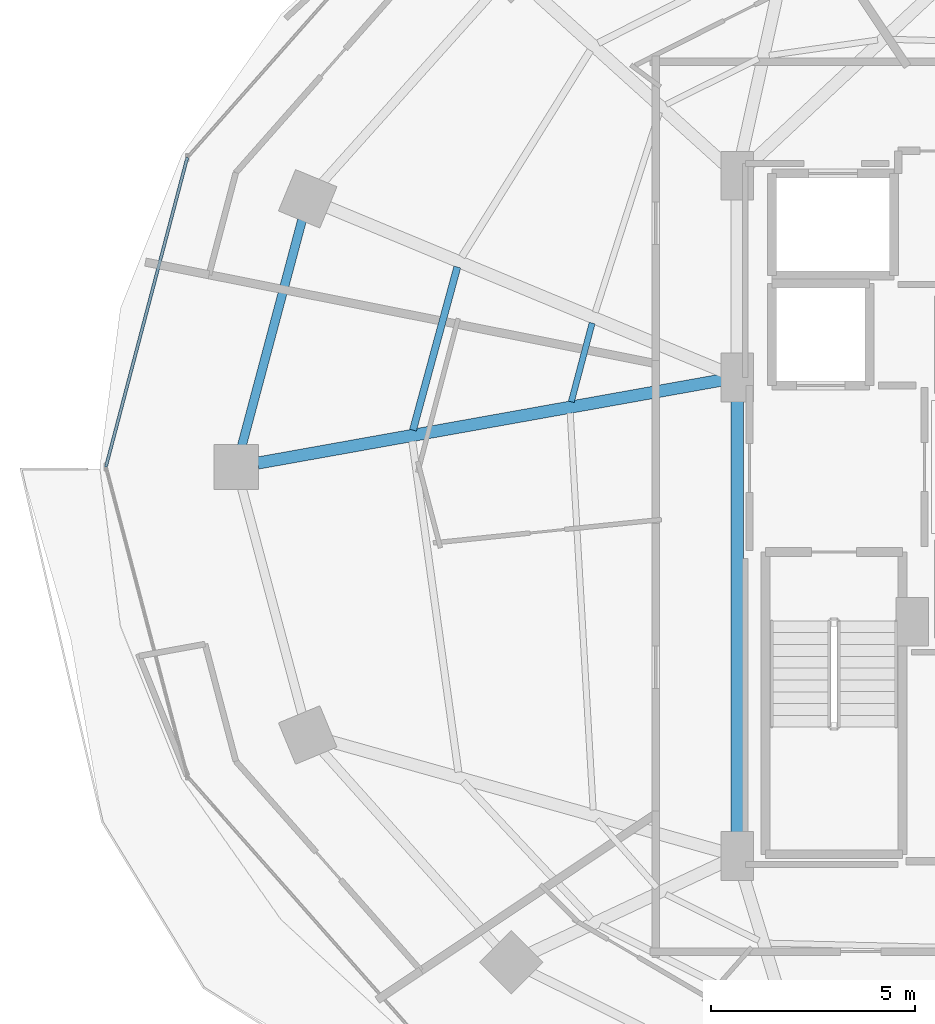
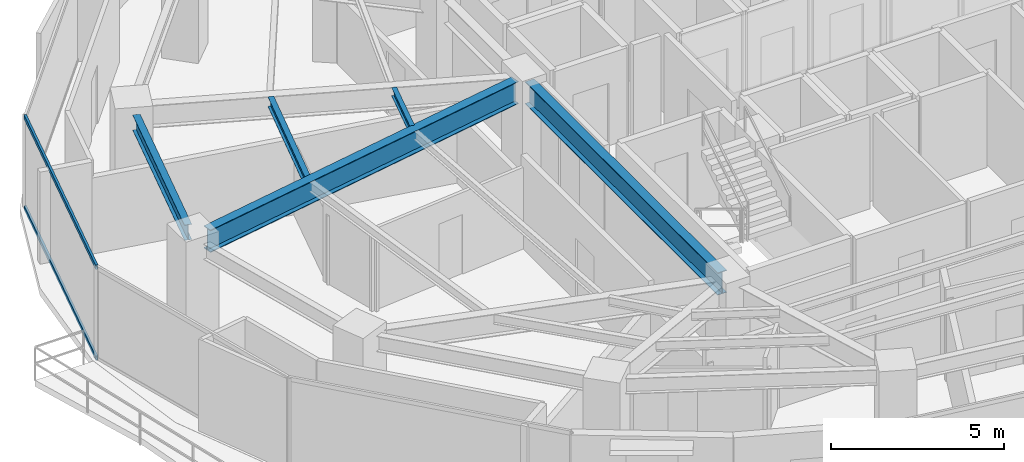
# One storey, part 8 of 29: 5 beams, 2 members, 1 element without a shape of its own.
"""IFC4 building model written with IfcOpenShell, lengths in metres."""

from ifc_helpers import new_model, si_unit, direction, frame, origin, origin_2d, place, context, subcontext, project, spatial, hollow_rectangle, i_section, extrude, material, material_profile, profile_set, type_object, element, aggregate, save


model = new_model("IFC4")

# Units and contexts
model_context = context("Model", 3, precision=1e-05, world=origin(), true_north=direction((0.0, 1.0)))
body_context = subcontext(model_context, "Body", "Model", "MODEL_VIEW")
ifc_project = project(units=[si_unit("LENGTHUNIT", "METRE"), si_unit("AREAUNIT", "SQUARE_METRE"), si_unit("VOLUMEUNIT", "CUBIC_METRE"), si_unit("PLANEANGLEUNIT", "RADIAN"), si_unit("MASSUNIT", "GRAM", prefix="KILO")], contexts=[model_context])

# Site, building, storey
site_placement = place(None, origin())
site = spatial("IfcSite", under=ifc_project, at=site_placement, CompositionType="ELEMENT")
building_placement = place(site_placement, origin())
building = spatial("IfcBuilding", under=site, at=building_placement, Name="Vorneva Point Tower", CompositionType="ELEMENT")
storey_placement = place(building_placement, frame((0.0, 0.0, 85.800048828125)))
storey = spatial("IfcBuildingStorey", under=building, at=storey_placement, Name="L22", CompositionType="ELEMENT", Elevation=85.800048828125)

# Beams
ifc_material_1 = material(Name="Steel S355", Category="steel")
ifc_material_profile_1 = material_profile(ifc_material_1, i_section(OverallWidth=0.300048828125, OverallDepth=0.7880859375, WebThickness=0.014404296875, FlangeThickness=0.02197265625, at=origin_2d()), Name="80Sh1")
ifc_profile_set_1 = profile_set([ifc_material_profile_1], Name="Steel S355")
beam_type_1 = type_object("IfcBeamType", Name="BM-GRD-80Sh1", PredefinedType="USERDEFINED", material=ifc_profile_set_1)
beam_1_placement = place(storey_placement, frame((15.4794921875, 26.0947265625, 2.845947265625), z_axis=(0.984378310682, 0.176066298476, 0.0), x_axis=(-0.176066298476, 0.984378310682, 0.0)))
element("IfcBeam", 1, at=beam_1_placement, inside=storey, type_object=beam_type_1, Name="L22 Radial Primary Girder 09", ObjectType="GIRDER", PredefinedType="USERDEFINED", context=body_context, shape_type="SweptSolid", body=[
    extrude(i_section(OverallWidth=0.300048828125, OverallDepth=0.7880859375, WebThickness=0.014404296875, FlangeThickness=0.02197265625, at=origin_2d()), origin(), (0.0, 0.0, 1.0), 11.6171875),
])
beam_2_placement = place(storey_placement, frame((27.25, 16.77001953125, 2.845947265625), z_axis=(0.0, 1.0, 0.0), x_axis=(-1.0, 0.0, 0.0)))
element("IfcBeam", 2, at=beam_2_placement, inside=storey, type_object=beam_type_1, Name="L22 Core Tie Girder CT1", ObjectType="GIRDER", PredefinedType="USERDEFINED", context=body_context, shape_type="SweptSolid", body=[
    extrude(i_section(OverallWidth=0.300048828125, OverallDepth=0.7880859375, WebThickness=0.014404296875, FlangeThickness=0.02197265625, at=origin_2d()), origin(), (0.0, 0.0, 1.0), 11.10986328125),
])
ifc_material_profile_2 = material_profile(ifc_material_1, i_section(OverallWidth=0.14892578125, OverallDepth=0.298095703125, WebThickness=0.005615234375, FlangeThickness=0.008056640625, at=origin_2d()), Name="30B1")
ifc_profile_set_2 = profile_set([ifc_material_profile_2], Name="Steel S355")
beam_type_2 = type_object("IfcBeamType", Name="BM-JST-30B1", PredefinedType="JOIST", material=ifc_profile_set_2)
beam_3_placement = place(storey_placement, frame((23.688232421875, 29.531982421875, 3.091064453125), z_axis=(-0.255724804331, -0.966749618283, 0.0), x_axis=(0.966749618283, -0.255724804331, 0.0)))
element("IfcBeam", 3, at=beam_3_placement, inside=storey, type_object=beam_type_2, Name="L22 Secondary Floor Beam 2.08", PredefinedType="JOIST", context=body_context, shape_type="SweptSolid", body=[
    extrude(i_section(OverallWidth=0.14892578125, OverallDepth=0.298095703125, WebThickness=0.005615234375, FlangeThickness=0.008056640625, at=origin_2d()), origin(), (0.0, 0.0, 1.0), 2.0),
])
ifc_material_profile_3 = material_profile(ifc_material_1, i_section(OverallWidth=0.174072265625, OverallDepth=0.345947265625, WebThickness=0.006103515625, FlangeThickness=0.009033203125, at=origin_2d()), Name="35B1")
ifc_profile_set_3 = profile_set([ifc_material_profile_3], Name="Steel S355")
beam_type_3 = type_object("IfcBeamType", Name="BM-SEC-35B1", PredefinedType="BEAM", material=ifc_profile_set_3)
beam_4_placement = place(storey_placement, frame((20.377685546875, 30.90771484375, 3.06689453125), z_axis=(-0.262196401448, -0.96501453205, 0.0), x_axis=(0.96501453205, -0.262196401448, 0.0)))
element("IfcBeam", 4, at=beam_4_placement, inside=storey, type_object=beam_type_3, Name="L22 Secondary Floor Beam 1.08", PredefinedType="BEAM", context=body_context, shape_type="SweptSolid", body=[
    extrude(i_section(OverallWidth=0.174072265625, OverallDepth=0.345947265625, WebThickness=0.006103515625, FlangeThickness=0.009033203125, at=origin_2d()), origin(), (0.0, 0.0, 1.0), 4.150146484375),
])
ifc_material_profile_4 = material_profile(ifc_material_1, i_section(OverallWidth=0.219970703125, OverallDepth=0.54296875, WebThickness=0.009521484375, FlangeThickness=0.013427734375, at=origin_2d()), Name="55B1")
ifc_profile_set_4 = profile_set([ifc_material_profile_4], Name="Steel S355")
beam_type_4 = type_object("IfcBeamType", Name="BM-SPN-55B1", PredefinedType="SPANDREL", material=ifc_profile_set_4)
beam_5_placement = place(storey_placement, frame((16.56689453125, 32.065185546875, 2.968505859375), z_axis=(-0.257572674071, -0.966258928845, 0.0), x_axis=(0.966258928845, -0.257572674071, 0.0)))
element("IfcBeam", 5, at=beam_5_placement, inside=storey, type_object=beam_type_4, Name="L22 Perimeter Spandrel Ring Beam 08", PredefinedType="SPANDREL", context=body_context, shape_type="SweptSolid", body=[
    extrude(i_section(OverallWidth=0.219970703125, OverallDepth=0.54296875, WebThickness=0.009521484375, FlangeThickness=0.013427734375, at=origin_2d()), origin(), (0.0, 0.0, 1.0), 5.7421875),
])

# Curtain wall, members
ifc_material_2 = material(Name="Pale anodised aluminium", Category="aluminium")
curtain_wall_type = type_object("IfcCurtainWallType", Name="CW-HTL-SYS", PredefinedType="NOTDEFINED", material=ifc_material_2)
curtain_wall_placement = place(storey_placement, origin())
curtain_wall = element("IfcCurtainWall", 6, at=curtain_wall_placement, inside=storey, type_object=curtain_wall_type, Name="L22 Unitised Curtain Wall CW-L22-R02", PredefinedType="NOTDEFINED")
ifc_material_profile_5 = material_profile(ifc_material_2, hollow_rectangle(XDim=0.074951171875, YDim=0.14990234375, WallThickness=0.00390625, at=origin_2d()), Name="AL-TRN 150x75x4")
ifc_profile_set_5 = profile_set([ifc_material_profile_5], Name="Pale anodised aluminium")
member_type = type_object("IfcMemberType", Name="CW-TRN-150", PredefinedType="USERDEFINED", material=ifc_profile_set_5)
member_1_placement = place(storey_placement, frame((13.748291015625, 33.59619140625, 0.02001953125), z_axis=(-0.254409150465, -0.967096677773, 0.0), x_axis=(0.967096677773, -0.254409150465, 0.0)))
member_1 = element("IfcMember", 7, at=member_1_placement, type_object=member_type, Name="CW-L22-R02 Transom 02.1", ObjectType="TRANSOM", PredefinedType="USERDEFINED", context=body_context, shape_type="SweptSolid", body=[
    extrude(hollow_rectangle(XDim=0.074951171875, YDim=0.14990234375, WallThickness=0.00390625, at=origin_2d()), origin(), (0.0, 0.0, 1.0), 7.854736328125),
])
member_2_placement = place(storey_placement, frame((13.748291015625, 33.59619140625, 3.219970703125), z_axis=(-0.254409150465, -0.967096677773, 0.0), x_axis=(0.967096677773, -0.254409150465, 0.0)))
member_2 = element("IfcMember", 8, at=member_2_placement, type_object=member_type, Name="CW-L22-R02 Transom 02.2", ObjectType="TRANSOM", PredefinedType="USERDEFINED", context=body_context, shape_type="SweptSolid", body=[
    extrude(hollow_rectangle(XDim=0.074951171875, YDim=0.14990234375, WallThickness=0.00390625, at=origin_2d()), origin(), (0.0, 0.0, 1.0), 7.854736328125),
])
aggregate(curtain_wall, [member_1, member_2])

save(model, "model.ifc")
